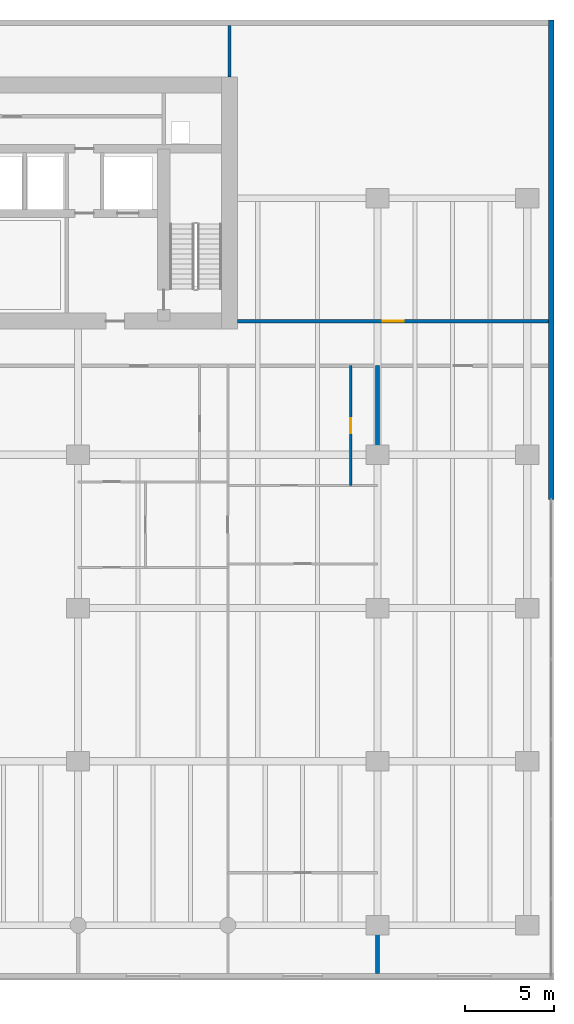
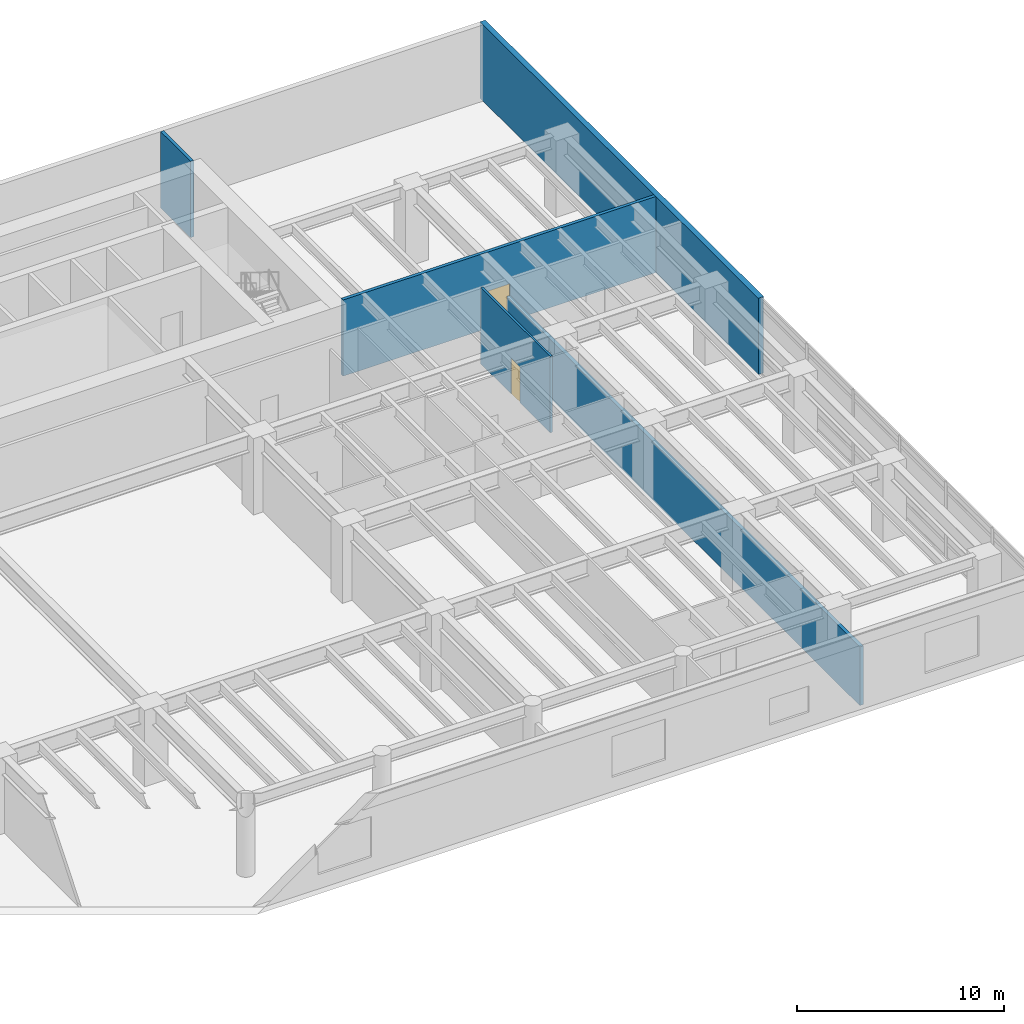
# One storey, part 9 of 13: 5 walls, 2 doors, 2 openings.
"""IFC4 building model written with IfcOpenShell, lengths in metres."""

from ifc_helpers import new_model, si_unit, direction, frame, frame_2d, origin, place, context, subcontext, project, spatial, rectangle, extrude, material, layer, layer_set, type_object, element, fill, save


model = new_model("IFC4")

# Units and contexts
model_context = context("Model", 3, precision=1e-05, world=origin(), true_north=direction((0.0, 1.0)))
body_context = subcontext(model_context, "Body", "Model", "MODEL_VIEW")
ifc_project = project(units=[si_unit("LENGTHUNIT", "METRE"), si_unit("AREAUNIT", "SQUARE_METRE"), si_unit("VOLUMEUNIT", "CUBIC_METRE"), si_unit("PLANEANGLEUNIT", "RADIAN"), si_unit("MASSUNIT", "GRAM", prefix="KILO")], contexts=[model_context])

# Site, building, storey
site_placement = place(None, origin())
site = spatial("IfcSite", under=ifc_project, at=site_placement, CompositionType="ELEMENT")
building_placement = place(site_placement, origin())
building = spatial("IfcBuilding", under=site, at=building_placement, Name="Caelmar Bay Residences", CompositionType="ELEMENT")
storey_placement = place(building_placement, frame((0.0, 0.0, 5.39990234375)))
storey = spatial("IfcBuildingStorey", under=building, at=storey_placement, Name="L01", CompositionType="ELEMENT", Elevation=5.39990234375)

# Wall
ifc_material_1 = material(Name="Double-stud acoustic fire-rated gypsum partition 180 mm")
ifc_layer_1 = layer(ifc_material_1, 0.179931640625)
ifc_layer_set_1 = layer_set([ifc_layer_1], Name="Double-stud acoustic fire-rated gypsum partition 180 mm")
wall_type_1 = type_object("IfcWallType", Name="W-COR-200", PredefinedType="PARTITIONING", material=ifc_layer_set_1)
wall_1_placement = place(storey_placement, frame((59.60009765625, 50.60498046875, 0.0), z_axis=(0.0, 0.0, 1.0), x_axis=(0.0, 1.0, 0.0)))
element("IfcWall", 1, at=wall_1_placement, inside=storey, type_object=wall_type_1, Name="L01 Partition Wall V023", PredefinedType="PARTITIONING", context=body_context, shape_type="SweptSolid", body=[
    extrude(rectangle(XDim=2.89990234375, YDim=0.179931640625, at=frame_2d((1.449951171875, 0.0))), origin(), (0.0, 0.0, 1.0), 4.5),
])

# Wall, opening, door
wall_2_placement = place(storey_placement, frame((60.054931640625, 36.89990234375, 0.0), z_axis=(0.0, 0.0, 1.0), x_axis=(1.0, 0.0, 0.0)))
wall_2 = element("IfcWall", 2, at=wall_2_placement, inside=storey, type_object=wall_type_1, Name="L01 Partition Wall H033", PredefinedType="PARTITIONING", context=body_context, shape_type="SweptSolid", body=[
    extrude(rectangle(XDim=17.449951171875, YDim=0.179931640625, at=frame_2d((8.72509765625, 0.0))), origin(), (0.0, 0.0, 1.0), 4.5),
])
opening_1_placement = place(wall_2_placement, frame((8.125, 0.0, 0.0)))
opening_1 = element("IfcOpeningElement", 3, at=opening_1_placement, cuts=wall_2, Name="Opening D-L01-135", PredefinedType="OPENING", context=body_context, shape_type="SweptSolid", body=[
    extrude(rectangle(XDim=1.199951171875, YDim=2.199951171875, at=frame_2d((0.60009765625, 1.10009765625))), frame((0.0, 0.099853515625, 0.0), z_axis=(0.0, -1.0, 0.0), x_axis=(1.0, 0.0, 0.0)), (0.0, 0.0, 1.0), 0.199951171875),
])
ifc_material_2 = material(Name="Fire-rated steel and walnut architectural door assembly", Category="steel")
ifc_layer_2 = layer(ifc_material_2, 0.050048828125)
ifc_layer_set_2 = layer_set([ifc_layer_2], Name="Fire-rated steel and walnut architectural door assembly")
door_type_1 = type_object("IfcDoorType", Name="D-PLANT-1200", OperationType="NOTDEFINED", PredefinedType="DOOR", material=ifc_layer_set_2)
door_1_placement = place(opening_1_placement, origin())
door_1 = element("IfcDoor", 4, at=door_1_placement, inside=storey, type_object=door_type_1, Name="L01 Podium L01 East Fan Plant Room Door", OperationType="SINGLE_SWING_RIGHT", OverallHeight=2.199951171875, OverallWidth=1.199951171875, PredefinedType="DOOR", context=body_context, shape_type="SweptSolid", body=[
    extrude(rectangle(XDim=1.199951171875, YDim=2.199951171875, at=frame_2d((0.60009765625, 1.10009765625))), frame((0.0, 0.02490234375, 0.0), z_axis=(0.0, -1.0, 0.0), x_axis=(1.0, 0.0, 0.0)), (0.0, 0.0, 1.0), 0.050048828125),
])
fill(opening_1, door_1)

# Wall
ifc_material_3 = material(Name="Precast concrete f'c 40 MPa (6,000 psi)", Category="concrete")
ifc_layer_3 = layer(ifc_material_3, 0.300048828125)
ifc_layer_set_3 = layer_set([ifc_layer_3], Name="Precast concrete f'c 40 MPa (6,000 psi)")
wall_type_2 = type_object("IfcWallType", Name="W-EXT-300", PredefinedType="STANDARD", material=ifc_layer_set_3)
wall_3_placement = place(storey_placement, frame((77.64990234375, 53.800048828125, 0.0), z_axis=(0.0, 0.0, 1.0), x_axis=(0.0, -1.0, 0.0)))
element("IfcWall", 5, at=wall_3_placement, inside=storey, type_object=wall_type_2, Name="L01 East Rear Exterior Wall", PredefinedType="STANDARD", context=body_context, shape_type="SweptSolid", body=[
    extrude(rectangle(XDim=26.900146484375, YDim=0.300048828125, at=frame_2d((13.4501953125, 0.0))), origin(), (0.0, 0.0, 1.0), 4.5),
])

# Wall, opening, door
ifc_material_4 = material(Name="Acoustic metal-stud gypsum partition 120 mm")
ifc_layer_4 = layer(ifc_material_4, 0.1201171875)
ifc_layer_set_4 = layer_set([ifc_layer_4], Name="Acoustic metal-stud gypsum partition 120 mm")
wall_type_3 = type_object("IfcWallType", Name="W-PRT-120", PredefinedType="PARTITIONING", material=ifc_layer_set_4)
wall_4_placement = place(storey_placement, frame((66.39990234375, 27.679931640625, 0.0), z_axis=(0.0, 0.0, 1.0), x_axis=(0.0, 1.0, 0.0)))
wall_4 = element("IfcWall", 6, at=wall_4_placement, inside=storey, type_object=wall_type_3, Name="L01 Partition Wall V024", PredefinedType="PARTITIONING", context=body_context, shape_type="SweptSolid", body=[
    extrude(rectangle(XDim=6.719970703125, YDim=0.1201171875, at=frame_2d((3.35986328125, 0.0))), origin(), (0.0, 0.0, 1.0), 4.5),
])
opening_2_placement = place(wall_4_placement, frame((2.93505859375, 0.0, 0.0)))
opening_2 = element("IfcOpeningElement", 7, at=opening_2_placement, cuts=wall_4, Name="Opening D-L01-128", PredefinedType="OPENING", context=body_context, shape_type="SweptSolid", body=[
    extrude(rectangle(XDim=0.85009765625, YDim=2.10009765625, at=frame_2d((0.425048828125, 1.050048828125))), frame((0.0, 0.070068359375, 0.0), z_axis=(0.0, -1.0, 0.0), x_axis=(1.0, 0.0, 0.0)), (0.0, 0.0, 1.0), 0.14013671875),
])
ifc_material_5 = material(Name="Solid walnut timber interior door leaf and frame", Category="wood")
ifc_layer_5 = layer(ifc_material_5, 0.050048828125)
ifc_layer_set_5 = layer_set([ifc_layer_5], Name="Solid walnut timber interior door leaf and frame")
door_type_2 = type_object("IfcDoorType", Name="D-BATH-850", OperationType="NOTDEFINED", PredefinedType="DOOR", material=ifc_layer_set_5)
door_2_placement = place(opening_2_placement, origin())
door_2 = element("IfcDoor", 8, at=door_2_placement, inside=storey, type_object=door_type_2, Name="L01 Residence 1A En-Suite Bathroom 1 Door", OperationType="SINGLE_SWING_LEFT", OverallHeight=2.10009765625, OverallWidth=0.85009765625, PredefinedType="DOOR", context=body_context, shape_type="SweptSolid", body=[
    extrude(rectangle(XDim=0.85009765625, YDim=2.10009765625, at=frame_2d((0.425048828125, 1.050048828125))), frame((0.0, 0.02490234375, 0.0), z_axis=(0.0, -1.0, 0.0), x_axis=(1.0, 0.0, 0.0)), (0.0, 0.0, 1.0), 0.050048828125),
])
fill(opening_2, door_2)

# Wall
ifc_material_6 = material(Name="Acoustic twin-stud fire-rated inter-tenancy partition 200 mm")
ifc_layer_6 = layer(ifc_material_6, 0.199951171875)
ifc_layer_set_6 = layer_set([ifc_layer_6], Name="Acoustic twin-stud fire-rated inter-tenancy partition 200 mm")
wall_type_4 = type_object("IfcWallType", Name="W-PTY-200", PredefinedType="PARTITIONING", material=ifc_layer_set_6)
wall_5_placement = place(storey_placement, frame((67.89990234375, 0.294921875, 0.0), z_axis=(0.0, 0.0, 1.0), x_axis=(0.0, 1.0, 0.0)))
element("IfcWall", 9, at=wall_5_placement, inside=storey, type_object=wall_type_4, Name="L01 Partition Wall V025", PredefinedType="PARTITIONING", context=body_context, shape_type="SweptSolid", body=[
    extrude(rectangle(XDim=34.10498046875, YDim=0.199951171875, at=frame_2d((17.052490234375, 0.0))), origin(), (0.0, 0.0, 1.0), 3.464111328125),
])

save(model, "model.ifc")
